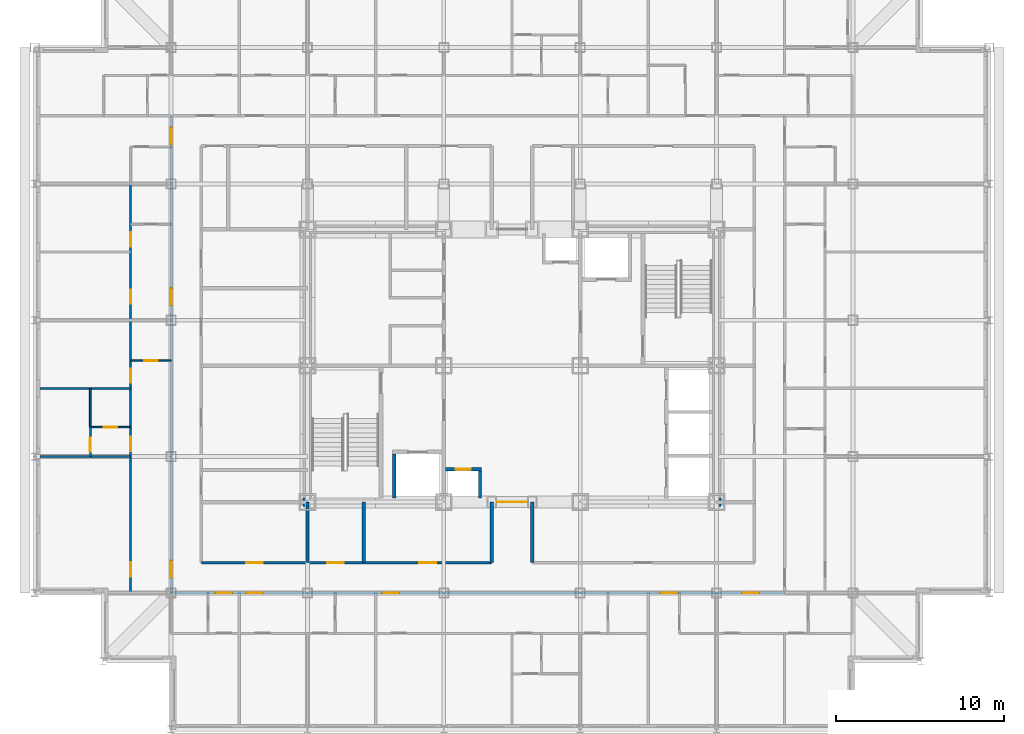
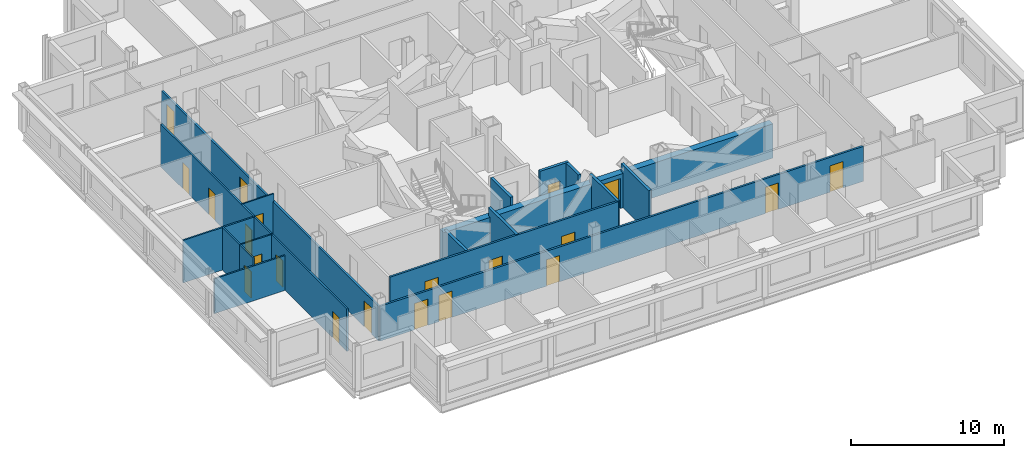
# One storey, part 5 of 12: 21 doors, 18 walls, 21 openings.
"""IFC4 building model written with IfcOpenShell, lengths in metres."""

from ifc_helpers import new_model, si_unit, direction, frame, frame_2d, origin, place, context, subcontext, project, spatial, rectangle, extrude, material, layer, layer_set, type_object, element, fill, save


model = new_model("IFC4")

# Units and contexts
model_context = context("Model", 3, precision=1e-05, world=origin(), true_north=direction((0.0, 1.0)))
body_context = subcontext(model_context, "Body", "Model", "MODEL_VIEW")
ifc_project = project(units=[si_unit("LENGTHUNIT", "METRE"), si_unit("AREAUNIT", "SQUARE_METRE"), si_unit("VOLUMEUNIT", "CUBIC_METRE"), si_unit("PLANEANGLEUNIT", "RADIAN"), si_unit("MASSUNIT", "GRAM", prefix="KILO")], contexts=[model_context])

# Site, building, storey
site_placement = place(None, origin())
site = spatial("IfcSite", under=ifc_project, at=site_placement, CompositionType="ELEMENT")
building_placement = place(site_placement, origin())
building = spatial("IfcBuilding", under=site, at=building_placement, Name="Kopane Lantern Tower", CompositionType="ELEMENT")
storey_placement = place(building_placement, frame((0.0, 0.0, 202.800048828125)))
storey = spatial("IfcBuildingStorey", under=building, at=storey_placement, Name="L52", CompositionType="ELEMENT", Elevation=202.800048828125)

# Wall, openings, doors
ifc_material_1 = material(Name="Gypsum board on steel studs", Category="steel")
ifc_layer_1 = layer(ifc_material_1, 0.1201171875)
ifc_layer_set_1 = layer_set([ifc_layer_1], Name="APARTMENT INTERNAL WALL 120")
wall_type_1 = type_object("IfcWallType", Name="APARTMENT INTERNAL WALL 120", PredefinedType="PARTITIONING", material=ifc_layer_set_1)
wall_1_placement = place(storey_placement, frame((5.699951171875, 18.89990234375, 0.0), z_axis=(0.0, 0.0, 1.0), x_axis=(0.0, 1.0, 0.0)))
wall_1 = element("IfcWall", 1, at=wall_1_placement, inside=storey, type_object=wall_type_1, Name="Apartment Internal Wall 120 L52", PredefinedType="PARTITIONING", context=body_context, shape_type="SweptSolid", body=[
    extrude(rectangle(XDim=24.300048828125, YDim=0.1201171875, at=frame_2d((12.14990234375, 0.0))), origin(), (0.0, 0.0, 1.0), 3.389892578125),
])
opening_1_placement = place(wall_1_placement, frame((0.97509765625, 0.0, 0.0)))
opening_1 = element("IfcOpeningElement", 2, at=opening_1_placement, cuts=wall_1, Name="Opening L52-043", PredefinedType="OPENING", context=body_context, shape_type="SweptSolid", body=[
    extrude(rectangle(XDim=0.85009765625, YDim=2.10009765625, at=frame_2d((0.425048828125, 1.050048828125))), frame((0.0, 0.070068359375, 0.0), z_axis=(0.0, -1.0, 0.0), x_axis=(1.0, 0.0, 0.0)), (0.0, 0.0, 1.0), 0.14013671875),
])
opening_2_placement = place(wall_1_placement, frame((8.425048828125, 0.0, 0.0)))
opening_2 = element("IfcOpeningElement", 3, at=opening_2_placement, cuts=wall_1, Name="Opening L52-045", PredefinedType="OPENING", context=body_context, shape_type="SweptSolid", body=[
    extrude(rectangle(XDim=0.85009765625, YDim=2.10009765625, at=frame_2d((0.425048828125, 1.050048828125))), frame((0.0, 0.070068359375, 0.0), z_axis=(0.0, -1.0, 0.0), x_axis=(1.0, 0.0, 0.0)), (0.0, 0.0, 1.0), 0.14013671875),
])
opening_3_placement = place(wall_1_placement, frame((12.47509765625, 0.0, 0.0)))
opening_3 = element("IfcOpeningElement", 4, at=opening_3_placement, cuts=wall_1, Name="Opening L52-046", PredefinedType="OPENING", context=body_context, shape_type="SweptSolid", body=[
    extrude(rectangle(XDim=0.85009765625, YDim=2.10009765625, at=frame_2d((0.425048828125, 1.050048828125))), frame((0.0, 0.070068359375, 0.0), z_axis=(0.0, -1.0, 0.0), x_axis=(1.0, 0.0, 0.0)), (0.0, 0.0, 1.0), 0.14013671875),
])
opening_4_placement = place(wall_1_placement, frame((17.175048828125, 0.0, 0.0)))
opening_4 = element("IfcOpeningElement", 5, at=opening_4_placement, cuts=wall_1, Name="Opening L52-049", PredefinedType="OPENING", context=body_context, shape_type="SweptSolid", body=[
    extrude(rectangle(XDim=0.85009765625, YDim=2.10009765625, at=frame_2d((0.425048828125, 1.050048828125))), frame((0.0, 0.070068359375, 0.0), z_axis=(0.0, -1.0, 0.0), x_axis=(1.0, 0.0, 0.0)), (0.0, 0.0, 1.0), 0.14013671875),
])
opening_5_placement = place(wall_1_placement, frame((20.574951171875, 0.0, 0.0)))
opening_5 = element("IfcOpeningElement", 6, at=opening_5_placement, cuts=wall_1, Name="Opening L52-050", PredefinedType="OPENING", context=body_context, shape_type="SweptSolid", body=[
    extrude(rectangle(XDim=0.85009765625, YDim=2.10009765625, at=frame_2d((0.425048828125, 1.050048828125))), frame((0.0, 0.070068359375, 0.0), z_axis=(0.0, -1.0, 0.0), x_axis=(1.0, 0.0, 0.0)), (0.0, 0.0, 1.0), 0.14013671875),
])
ifc_material_2 = material(Name="Timber door set", Category="wood")
door_type_1 = type_object("IfcDoorType", Name="DOOR D4 850x2100", OperationType="SINGLE_SWING_LEFT", PredefinedType="DOOR", material=ifc_material_2)
door_1_placement = place(opening_1_placement, origin())
door_1 = element("IfcDoor", 7, at=door_1_placement, inside=storey, type_object=door_type_1, Name="Door L52-043", OperationType="SINGLE_SWING_RIGHT", OverallHeight=2.10009765625, OverallWidth=0.85009765625, PredefinedType="DOOR", context=body_context, shape_type="SweptSolid", body=[
    extrude(rectangle(XDim=0.85009765625, YDim=2.10009765625, at=frame_2d((0.425048828125, 1.050048828125))), frame((0.0, 0.02490234375, 0.0), z_axis=(0.0, -1.0, 0.0), x_axis=(1.0, 0.0, 0.0)), (0.0, 0.0, 1.0), 0.050048828125),
])
fill(opening_1, door_1)
door_2_placement = place(opening_2_placement, origin())
door_2 = element("IfcDoor", 8, at=door_2_placement, inside=storey, type_object=door_type_1, Name="Door L52-045", OperationType="SINGLE_SWING_LEFT", OverallHeight=2.10009765625, OverallWidth=0.85009765625, PredefinedType="DOOR", context=body_context, shape_type="SweptSolid", body=[
    extrude(rectangle(XDim=0.85009765625, YDim=2.10009765625, at=frame_2d((0.425048828125, 1.050048828125))), frame((0.0, 0.02490234375, 0.0), z_axis=(0.0, -1.0, 0.0), x_axis=(1.0, 0.0, 0.0)), (0.0, 0.0, 1.0), 0.050048828125),
])
fill(opening_2, door_2)
door_3_placement = place(opening_3_placement, origin())
door_3 = element("IfcDoor", 9, at=door_3_placement, inside=storey, type_object=door_type_1, Name="Door L52-046", OperationType="SINGLE_SWING_LEFT", OverallHeight=2.10009765625, OverallWidth=0.85009765625, PredefinedType="DOOR", context=body_context, shape_type="SweptSolid", body=[
    extrude(rectangle(XDim=0.85009765625, YDim=2.10009765625, at=frame_2d((0.425048828125, 1.050048828125))), frame((0.0, 0.02490234375, 0.0), z_axis=(0.0, -1.0, 0.0), x_axis=(1.0, 0.0, 0.0)), (0.0, 0.0, 1.0), 0.050048828125),
])
fill(opening_3, door_3)
door_4_placement = place(opening_4_placement, origin())
door_4 = element("IfcDoor", 10, at=door_4_placement, inside=storey, type_object=door_type_1, Name="Door L52-049", OperationType="SINGLE_SWING_RIGHT", OverallHeight=2.10009765625, OverallWidth=0.85009765625, PredefinedType="DOOR", context=body_context, shape_type="SweptSolid", body=[
    extrude(rectangle(XDim=0.85009765625, YDim=2.10009765625, at=frame_2d((0.425048828125, 1.050048828125))), frame((0.0, 0.02490234375, 0.0), z_axis=(0.0, -1.0, 0.0), x_axis=(1.0, 0.0, 0.0)), (0.0, 0.0, 1.0), 0.050048828125),
])
fill(opening_4, door_4)
door_5_placement = place(opening_5_placement, origin())
door_5 = element("IfcDoor", 11, at=door_5_placement, inside=storey, type_object=door_type_1, Name="Door L52-050", OperationType="SINGLE_SWING_LEFT", OverallHeight=2.10009765625, OverallWidth=0.85009765625, PredefinedType="DOOR", context=body_context, shape_type="SweptSolid", body=[
    extrude(rectangle(XDim=0.85009765625, YDim=2.10009765625, at=frame_2d((0.425048828125, 1.050048828125))), frame((0.0, 0.02490234375, 0.0), z_axis=(0.0, -1.0, 0.0), x_axis=(1.0, 0.0, 0.0)), (0.0, 0.0, 1.0), 0.050048828125),
])
fill(opening_5, door_5)

# Walls
wall_2_placement = place(storey_placement, frame((5.699951171875, 27.0, 0.0), z_axis=(0.0, 0.0, 1.0), x_axis=(-1.0, 0.0, 0.0)))
element("IfcWall", 12, at=wall_2_placement, inside=storey, type_object=wall_type_1, Name="Apartment Internal Wall 120 L52", PredefinedType="PARTITIONING", context=body_context, shape_type="SweptSolid", body=[
    extrude(rectangle(XDim=5.39990234375, YDim=0.1201171875, at=frame_2d((2.699951171875, 0.0))), origin(), (0.0, 0.0, 1.0), 2.77783203125),
])
wall_3_placement = place(storey_placement, frame((5.699951171875, 31.050048828125, 0.0), z_axis=(0.0, 0.0, 1.0), x_axis=(-1.0, 0.0, 0.0)))
element("IfcWall", 13, at=wall_3_placement, inside=storey, type_object=wall_type_1, Name="Apartment Internal Wall 120 L52", PredefinedType="PARTITIONING", context=body_context, shape_type="SweptSolid", body=[
    extrude(rectangle(XDim=5.39990234375, YDim=0.1201171875, at=frame_2d((2.699951171875, 0.0))), origin(), (0.0, 0.0, 1.0), 3.389892578125),
])

# Wall, opening, door
wall_4_placement = place(storey_placement, frame((3.300048828125, 27.0, 0.0), z_axis=(0.0, 0.0, 1.0), x_axis=(0.0, 1.0, 0.0)))
wall_4 = element("IfcWall", 14, at=wall_4_placement, inside=storey, type_object=wall_type_1, Name="Apartment Internal Wall 120 L52", PredefinedType="PARTITIONING", context=body_context, shape_type="SweptSolid", body=[
    extrude(rectangle(XDim=1.760009765625, YDim=0.1201171875, at=frame_2d((0.8798828125, 0.0))), origin(), (0.0, 0.0, 1.0), 3.389892578125),
])
opening_6_placement = place(wall_4_placement, frame((0.27490234375, 0.0, 0.0)))
opening_6 = element("IfcOpeningElement", 15, at=opening_6_placement, cuts=wall_4, Name="Opening L52-082", PredefinedType="OPENING", context=body_context, shape_type="SweptSolid", body=[
    extrude(rectangle(XDim=0.85009765625, YDim=2.10009765625, at=frame_2d((0.425048828125, 1.050048828125))), frame((0.0, 0.070068359375, 0.0), z_axis=(0.0, -1.0, 0.0), x_axis=(1.0, 0.0, 0.0)), (0.0, 0.0, 1.0), 0.14013671875),
])
door_6_placement = place(opening_6_placement, origin())
door_6 = element("IfcDoor", 16, at=door_6_placement, inside=storey, type_object=door_type_1, Name="Door L52-082", OperationType="SINGLE_SWING_LEFT", OverallHeight=2.10009765625, OverallWidth=0.85009765625, PredefinedType="DOOR", context=body_context, shape_type="SweptSolid", body=[
    extrude(rectangle(XDim=0.85009765625, YDim=2.10009765625, at=frame_2d((0.425048828125, 1.050048828125))), frame((0.0, 0.02490234375, 0.0), z_axis=(0.0, -1.0, 0.0), x_axis=(1.0, 0.0, 0.0)), (0.0, 0.0, 1.0), 0.050048828125),
])
fill(opening_6, door_6)

ifc_material_3 = material(Name="Moisture-resistant board on steel studs", Category="steel")
ifc_layer_2 = layer(ifc_material_3, 0.10009765625)
ifc_layer_set_2 = layer_set([ifc_layer_2], Name="BATHROOM WALL 100")
wall_type_2 = type_object("IfcWallType", Name="BATHROOM WALL 100", PredefinedType="PARTITIONING", material=ifc_layer_set_2)
wall_5_placement = place(storey_placement, frame((8.10009765625, 32.699951171875, 0.0), z_axis=(0.0, 0.0, 1.0), x_axis=(-1.0, 0.0, 0.0)))
wall_5 = element("IfcWall", 17, at=wall_5_placement, inside=storey, type_object=wall_type_2, Name="Bathroom Wall 100 L52", PredefinedType="PARTITIONING", context=body_context, shape_type="SweptSolid", body=[
    extrude(rectangle(XDim=2.400146484375, YDim=0.10009765625, at=frame_2d((1.2001953125, 0.0))), origin(), (0.0, 0.0, 1.0), 3.389892578125),
])
opening_7_placement = place(wall_5_placement, frame((0.800048828125, 0.0, 0.0)))
opening_7 = element("IfcOpeningElement", 18, at=opening_7_placement, cuts=wall_5, Name="Opening L52-041", PredefinedType="OPENING", context=body_context, shape_type="SweptSolid", body=[
    extrude(rectangle(XDim=0.800048828125, YDim=2.10009765625, at=frame_2d((0.39990234375, 1.050048828125))), frame((0.0, 0.06005859375, 0.0), z_axis=(0.0, -1.0, 0.0), x_axis=(1.0, 0.0, 0.0)), (0.0, 0.0, 1.0), 0.1201171875),
])
ifc_material_4 = material(Name="Timber door set", Category="wood")
door_type_2 = type_object("IfcDoorType", Name="DOOR D2 800x2100", OperationType="SINGLE_SWING_LEFT", PredefinedType="DOOR", material=ifc_material_4)
door_7_placement = place(opening_7_placement, origin())
door_7 = element("IfcDoor", 19, at=door_7_placement, inside=storey, type_object=door_type_2, Name="Door L52-041", OperationType="SINGLE_SWING_RIGHT", OverallHeight=2.10009765625, OverallWidth=0.800048828125, PredefinedType="DOOR", context=body_context, shape_type="SweptSolid", body=[
    extrude(rectangle(XDim=0.800048828125, YDim=2.10009765625, at=frame_2d((0.39990234375, 1.050048828125))), frame((0.0, 0.02490234375, 0.0), z_axis=(0.0, -1.0, 0.0), x_axis=(1.0, 0.0, 0.0)), (0.0, 0.0, 1.0), 0.050048828125),
])
fill(opening_7, door_7)

wall_6_placement = place(storey_placement, frame((5.699951171875, 28.75, 0.0), z_axis=(0.0, 0.0, 1.0), x_axis=(-1.0, 0.0, 0.0)))
wall_6 = element("IfcWall", 20, at=wall_6_placement, inside=storey, type_object=wall_type_2, Name="Bathroom Wall 100 L52", PredefinedType="PARTITIONING", context=body_context, shape_type="SweptSolid", body=[
    extrude(rectangle(XDim=2.39990234375, YDim=0.10009765625, at=frame_2d((1.199951171875, 0.0))), origin(), (0.0, 0.0, 1.0), 3.389892578125),
])
opening_8_placement = place(wall_6_placement, frame((0.800048828125, 0.0, 0.0)))
opening_8 = element("IfcOpeningElement", 21, at=opening_8_placement, cuts=wall_6, Name="Opening L52-044", PredefinedType="OPENING", context=body_context, shape_type="SweptSolid", body=[
    extrude(rectangle(XDim=0.800048828125, YDim=2.10009765625, at=frame_2d((0.39990234375, 1.050048828125))), frame((0.0, 0.06005859375, 0.0), z_axis=(0.0, -1.0, 0.0), x_axis=(1.0, 0.0, 0.0)), (0.0, 0.0, 1.0), 0.1201171875),
])
door_8_placement = place(opening_8_placement, origin())
door_8 = element("IfcDoor", 22, at=door_8_placement, inside=storey, type_object=door_type_2, Name="Door L52-044", OperationType="SINGLE_SWING_RIGHT", OverallHeight=2.10009765625, OverallWidth=0.800048828125, PredefinedType="DOOR", context=body_context, shape_type="SweptSolid", body=[
    extrude(rectangle(XDim=0.800048828125, YDim=2.10009765625, at=frame_2d((0.39990234375, 1.050048828125))), frame((0.0, 0.02490234375, 0.0), z_axis=(0.0, -1.0, 0.0), x_axis=(1.0, 0.0, 0.0)), (0.0, 0.0, 1.0), 0.050048828125),
])
fill(opening_8, door_8)

# Wall
wall_7_placement = place(storey_placement, frame((3.300048828125, 28.75, 0.0), z_axis=(0.0, 0.0, 1.0), x_axis=(0.0, 1.0, 0.0)))
element("IfcWall", 23, at=wall_7_placement, inside=storey, type_object=wall_type_2, Name="Bathroom Wall 100 L52", PredefinedType="PARTITIONING", context=body_context, shape_type="SweptSolid", body=[
    extrude(rectangle(XDim=2.300048828125, YDim=0.10009765625, at=frame_2d((1.14990234375, 0.0))), origin(), (0.0, 0.0, 1.0), 3.389892578125),
])

# Wall, opening, door
ifc_material_5 = material(Name="Gypsum shaft wall EI 120", Category="gypsum")
ifc_layer_3 = layer(ifc_material_5, 0.5)
ifc_layer_set_3 = layer_set([ifc_layer_3], Name="CORE PERIMETER WALL 500 EI 120")
wall_type_3 = type_object("IfcWallType", Name="CORE PERIMETER WALL 500 EI 120", PredefinedType="SOLIDWALL", material=ifc_layer_set_3)
wall_8_placement = place(storey_placement, frame((15.949951171875, 24.300048828125, 0.0), z_axis=(0.0, 0.0, 1.0), x_axis=(1.0, 0.0, 0.0)))
wall_8 = element("IfcWall", 24, at=wall_8_placement, inside=storey, type_object=wall_type_3, Name="Core shaft wall L52 PS", PredefinedType="SOLIDWALL", context=body_context, shape_type="SweptSolid", body=[
    extrude(rectangle(XDim=24.800048828125, YDim=0.5, at=frame_2d((12.39990234375, 0.0))), origin(), (0.0, 0.0, 1.0), 2.739990234375),
])
opening_9_placement = place(wall_8_placement, frame((11.5, 0.0, 0.0)))
opening_9 = element("IfcOpeningElement", 25, at=opening_9_placement, cuts=wall_8, Name="Opening 52.CE-S", PredefinedType="OPENING", context=body_context, shape_type="SweptSolid", body=[
    extrude(rectangle(XDim=1.800048828125, YDim=2.39990234375, at=frame_2d((0.89990234375, 1.199951171875))), frame((0.0, 0.260009765625, 0.0), z_axis=(0.0, -1.0, 0.0), x_axis=(1.0, 0.0, 0.0)), (0.0, 0.0, 1.0), 0.52001953125),
])
ifc_material_6 = material(Name="Steel door set", Category="steel")
door_type_3 = type_object("IfcDoorType", Name="CORE ENTRY DOOR 1800x2400 FD60S", OperationType="DOUBLE_DOOR_SINGLE_SWING", PredefinedType="DOOR", material=ifc_material_6)
door_9_placement = place(opening_9_placement, origin())
door_9 = element("IfcDoor", 26, at=door_9_placement, inside=storey, type_object=door_type_3, Name="Core entry door L52 south", OperationType="DOUBLE_DOOR_SINGLE_SWING", OverallHeight=2.39990234375, OverallWidth=1.800048828125, PredefinedType="DOOR", context=body_context, shape_type="SweptSolid", body=[
    extrude(rectangle(XDim=1.800048828125, YDim=2.39990234375, at=frame_2d((0.89990234375, 1.199951171875))), frame((0.0, 0.02490234375, 0.0), z_axis=(0.0, -1.0, 0.0), x_axis=(1.0, 0.0, 0.0)), (0.0, 0.0, 1.0), 0.050048828125),
])
fill(opening_9, door_9)

# Wall, openings, doors
ifc_material_7 = material(Name="Gypsum board on steel studs", Category="steel")
ifc_layer_4 = layer(ifc_material_7, 0.14990234375)
ifc_layer_set_4 = layer_set([ifc_layer_4], Name="CORRIDOR WALL 150 EI 60")
wall_type_4 = type_object("IfcWallType", Name="CORRIDOR WALL 150 EI 60", PredefinedType="PARTITIONING", material=ifc_layer_set_4)
wall_9_placement = place(storey_placement, frame((8.10009765625, 18.89990234375, 0.0), z_axis=(0.0, 0.0, 1.0), x_axis=(1.0, 0.0, 0.0)))
wall_9 = element("IfcWall", 27, at=wall_9_placement, inside=storey, type_object=wall_type_4, Name="Corridor Wall 150 Ei 60 L52", PredefinedType="PARTITIONING", context=body_context, shape_type="SweptSolid", body=[
    extrude(rectangle(XDim=36.449951171875, YDim=0.14990234375, at=frame_2d((18.22509765625, 0.0))), origin(), (0.0, 0.0, 1.0), 2.77783203125),
])
opening_10_placement = place(wall_9_placement, frame((4.449951171875, 0.0, 0.0)))
opening_10 = element("IfcOpeningElement", 28, at=opening_10_placement, cuts=wall_9, Name="Opening L52-018", PredefinedType="OPENING", context=body_context, shape_type="SweptSolid", body=[
    extrude(rectangle(XDim=1.0, YDim=2.10009765625, at=frame_2d((0.5, 1.050048828125))), frame((0.0, 0.0849609375, 0.0), z_axis=(0.0, -1.0, 0.0), x_axis=(1.0, 0.0, 0.0)), (0.0, 0.0, 1.0), 0.169921875),
])
opening_11_placement = place(wall_9_placement, frame((12.550048828125, 0.0, 0.0)))
opening_11 = element("IfcOpeningElement", 29, at=opening_11_placement, cuts=wall_9, Name="Opening L52-022", PredefinedType="OPENING", context=body_context, shape_type="SweptSolid", body=[
    extrude(rectangle(XDim=1.0, YDim=2.10009765625, at=frame_2d((0.5, 1.050048828125))), frame((0.0, 0.0849609375, 0.0), z_axis=(0.0, -1.0, 0.0), x_axis=(1.0, 0.0, 0.0)), (0.0, 0.0, 1.0), 0.169921875),
])
opening_12_placement = place(wall_9_placement, frame((29.050048828125, 0.0, 0.0)))
opening_12 = element("IfcOpeningElement", 30, at=opening_12_placement, cuts=wall_9, Name="Opening L52-028", PredefinedType="OPENING", context=body_context, shape_type="SweptSolid", body=[
    extrude(rectangle(XDim=1.0, YDim=2.10009765625, at=frame_2d((0.5, 1.050048828125))), frame((0.0, 0.0849609375, 0.0), z_axis=(0.0, -1.0, 0.0), x_axis=(1.0, 0.0, 0.0)), (0.0, 0.0, 1.0), 0.169921875),
])
opening_13_placement = place(wall_9_placement, frame((2.625, 0.0, 0.0)))
opening_13 = element("IfcOpeningElement", 31, at=opening_13_placement, cuts=wall_9, Name="Opening L52-064", PredefinedType="OPENING", context=body_context, shape_type="SweptSolid", body=[
    extrude(rectangle(XDim=1.0, YDim=2.10009765625, at=frame_2d((0.5, 1.050048828125))), frame((0.0, 0.0849609375, 0.0), z_axis=(0.0, -1.0, 0.0), x_axis=(1.0, 0.0, 0.0)), (0.0, 0.0, 1.0), 0.169921875),
])
opening_14_placement = place(wall_9_placement, frame((33.925048828125, 0.0, 0.0)))
opening_14 = element("IfcOpeningElement", 32, at=opening_14_placement, cuts=wall_9, Name="Opening L52-066", PredefinedType="OPENING", context=body_context, shape_type="SweptSolid", body=[
    extrude(rectangle(XDim=1.0, YDim=2.10009765625, at=frame_2d((0.5, 1.050048828125))), frame((0.0, 0.0849609375, 0.0), z_axis=(0.0, -1.0, 0.0), x_axis=(1.0, 0.0, 0.0)), (0.0, 0.0, 1.0), 0.169921875),
])
ifc_material_8 = material(Name="Steel door set", Category="steel")
door_type_4 = type_object("IfcDoorType", Name="DOOR D3 1000x2100 FD30S", OperationType="SINGLE_SWING_LEFT", PredefinedType="DOOR", material=ifc_material_8)
door_10_placement = place(opening_10_placement, origin())
door_10 = element("IfcDoor", 33, at=door_10_placement, inside=storey, type_object=door_type_4, Name="Door L52-018", OperationType="SINGLE_SWING_RIGHT", OverallHeight=2.10009765625, OverallWidth=1.0, PredefinedType="DOOR", context=body_context, shape_type="SweptSolid", body=[
    extrude(rectangle(XDim=1.0, YDim=2.10009765625, at=frame_2d((0.5, 1.050048828125))), frame((0.0, 0.02490234375, 0.0), z_axis=(0.0, -1.0, 0.0), x_axis=(1.0, 0.0, 0.0)), (0.0, 0.0, 1.0), 0.050048828125),
])
fill(opening_10, door_10)
door_11_placement = place(opening_11_placement, origin())
door_11 = element("IfcDoor", 34, at=door_11_placement, inside=storey, type_object=door_type_4, Name="Door L52-022", OperationType="SINGLE_SWING_RIGHT", OverallHeight=2.10009765625, OverallWidth=1.0, PredefinedType="DOOR", context=body_context, shape_type="SweptSolid", body=[
    extrude(rectangle(XDim=1.0, YDim=2.10009765625, at=frame_2d((0.5, 1.050048828125))), frame((0.0, 0.02490234375, 0.0), z_axis=(0.0, -1.0, 0.0), x_axis=(1.0, 0.0, 0.0)), (0.0, 0.0, 1.0), 0.050048828125),
])
fill(opening_11, door_11)
door_12_placement = place(opening_12_placement, origin())
door_12 = element("IfcDoor", 35, at=door_12_placement, inside=storey, type_object=door_type_4, Name="Door L52-028", OperationType="SINGLE_SWING_LEFT", OverallHeight=2.10009765625, OverallWidth=1.0, PredefinedType="DOOR", context=body_context, shape_type="SweptSolid", body=[
    extrude(rectangle(XDim=1.0, YDim=2.10009765625, at=frame_2d((0.5, 1.050048828125))), frame((0.0, 0.02490234375, 0.0), z_axis=(0.0, -1.0, 0.0), x_axis=(1.0, 0.0, 0.0)), (0.0, 0.0, 1.0), 0.050048828125),
])
fill(opening_12, door_12)
door_13_placement = place(opening_13_placement, origin())
door_13 = element("IfcDoor", 36, at=door_13_placement, inside=storey, type_object=door_type_4, Name="Door L52-064", OperationType="SINGLE_SWING_RIGHT", OverallHeight=2.10009765625, OverallWidth=1.0, PredefinedType="DOOR", context=body_context, shape_type="SweptSolid", body=[
    extrude(rectangle(XDim=1.0, YDim=2.10009765625, at=frame_2d((0.5, 1.050048828125))), frame((0.0, 0.02490234375, 0.0), z_axis=(0.0, -1.0, 0.0), x_axis=(1.0, 0.0, 0.0)), (0.0, 0.0, 1.0), 0.050048828125),
])
fill(opening_13, door_13)
door_14_placement = place(opening_14_placement, origin())
door_14 = element("IfcDoor", 37, at=door_14_placement, inside=storey, type_object=door_type_4, Name="Door L52-066", OperationType="SINGLE_SWING_RIGHT", OverallHeight=2.10009765625, OverallWidth=1.0, PredefinedType="DOOR", context=body_context, shape_type="SweptSolid", body=[
    extrude(rectangle(XDim=1.0, YDim=2.10009765625, at=frame_2d((0.5, 1.050048828125))), frame((0.0, 0.02490234375, 0.0), z_axis=(0.0, -1.0, 0.0), x_axis=(1.0, 0.0, 0.0)), (0.0, 0.0, 1.0), 0.050048828125),
])
fill(opening_14, door_14)

wall_10_placement = place(storey_placement, frame((8.10009765625, 18.89990234375, 0.0), z_axis=(0.0, 0.0, 1.0), x_axis=(0.0, 1.0, 0.0)))
wall_10 = element("IfcWall", 38, at=wall_10_placement, inside=storey, type_object=wall_type_4, Name="Corridor Wall 150 Ei 60 L52", PredefinedType="PARTITIONING", context=body_context, shape_type="SweptSolid", body=[
    extrude(rectangle(XDim=28.35009765625, YDim=0.14990234375, at=frame_2d((14.175048828125, 0.0))), origin(), (0.0, 0.0, 1.0), 2.77783203125),
])
opening_15_placement = place(wall_10_placement, frame((0.89990234375, 0.0, 0.0)))
opening_15 = element("IfcOpeningElement", 39, at=opening_15_placement, cuts=wall_10, Name="Opening L52-042", PredefinedType="OPENING", context=body_context, shape_type="SweptSolid", body=[
    extrude(rectangle(XDim=1.0, YDim=2.10009765625, at=frame_2d((0.5, 1.050048828125))), frame((0.0, 0.0849609375, 0.0), z_axis=(0.0, -1.0, 0.0), x_axis=(1.0, 0.0, 0.0)), (0.0, 0.0, 1.0), 0.169921875),
])
opening_16_placement = place(wall_10_placement, frame((17.10009765625, 0.0, 0.0)))
opening_16 = element("IfcOpeningElement", 40, at=opening_16_placement, cuts=wall_10, Name="Opening L52-048", PredefinedType="OPENING", context=body_context, shape_type="SweptSolid", body=[
    extrude(rectangle(XDim=1.0, YDim=2.10009765625, at=frame_2d((0.5, 1.050048828125))), frame((0.0, 0.0849609375, 0.0), z_axis=(0.0, -1.0, 0.0), x_axis=(1.0, 0.0, 0.0)), (0.0, 0.0, 1.0), 0.169921875),
])
opening_17_placement = place(wall_10_placement, frame((26.64990234375, 0.0, 0.0)))
opening_17 = element("IfcOpeningElement", 41, at=opening_17_placement, cuts=wall_10, Name="Opening L52-052", PredefinedType="OPENING", context=body_context, shape_type="SweptSolid", body=[
    extrude(rectangle(XDim=1.0, YDim=2.10009765625, at=frame_2d((0.5, 1.050048828125))), frame((0.0, 0.0849609375, 0.0), z_axis=(0.0, -1.0, 0.0), x_axis=(1.0, 0.0, 0.0)), (0.0, 0.0, 1.0), 0.169921875),
])
door_15_placement = place(opening_15_placement, origin())
door_15 = element("IfcDoor", 42, at=door_15_placement, inside=storey, type_object=door_type_4, Name="Door L52-042", OperationType="SINGLE_SWING_LEFT", OverallHeight=2.10009765625, OverallWidth=1.0, PredefinedType="DOOR", context=body_context, shape_type="SweptSolid", body=[
    extrude(rectangle(XDim=1.0, YDim=2.10009765625, at=frame_2d((0.5, 1.050048828125))), frame((0.0, 0.02490234375, 0.0), z_axis=(0.0, -1.0, 0.0), x_axis=(1.0, 0.0, 0.0)), (0.0, 0.0, 1.0), 0.050048828125),
])
fill(opening_15, door_15)
door_16_placement = place(opening_16_placement, origin())
door_16 = element("IfcDoor", 43, at=door_16_placement, inside=storey, type_object=door_type_4, Name="Door L52-048", OperationType="SINGLE_SWING_LEFT", OverallHeight=2.10009765625, OverallWidth=1.0, PredefinedType="DOOR", context=body_context, shape_type="SweptSolid", body=[
    extrude(rectangle(XDim=1.0, YDim=2.10009765625, at=frame_2d((0.5, 1.050048828125))), frame((0.0, 0.02490234375, 0.0), z_axis=(0.0, -1.0, 0.0), x_axis=(1.0, 0.0, 0.0)), (0.0, 0.0, 1.0), 0.050048828125),
])
fill(opening_16, door_16)
door_17_placement = place(opening_17_placement, origin())
door_17 = element("IfcDoor", 44, at=door_17_placement, inside=storey, type_object=door_type_4, Name="Door L52-052", OperationType="SINGLE_SWING_LEFT", OverallHeight=2.10009765625, OverallWidth=1.0, PredefinedType="DOOR", context=body_context, shape_type="SweptSolid", body=[
    extrude(rectangle(XDim=1.0, YDim=2.10009765625, at=frame_2d((0.5, 1.050048828125))), frame((0.0, 0.02490234375, 0.0), z_axis=(0.0, -1.0, 0.0), x_axis=(1.0, 0.0, 0.0)), (0.0, 0.0, 1.0), 0.050048828125),
])
fill(opening_17, door_17)

wall_11_placement = place(storey_placement, frame((9.89990234375, 20.699951171875, 0.0), z_axis=(0.0, 0.0, 1.0), x_axis=(1.0, 0.0, 0.0)))
wall_11 = element("IfcWall", 45, at=wall_11_placement, inside=storey, type_object=wall_type_4, Name="Corridor Wall 150 Ei 60 L52", PredefinedType="PARTITIONING", context=body_context, shape_type="SweptSolid", body=[
    extrude(rectangle(XDim=17.239990234375, YDim=0.14990234375, at=frame_2d((8.6201171875, 0.0))), origin(), (0.0, 0.0, 1.0), 3.389892578125),
])
opening_18_placement = place(wall_11_placement, frame((2.64990234375, 0.0, 0.0)))
opening_18 = element("IfcOpeningElement", 46, at=opening_18_placement, cuts=wall_11, Name="Opening L52-007", PredefinedType="OPENING", context=body_context, shape_type="SweptSolid", body=[
    extrude(rectangle(XDim=1.0, YDim=2.10009765625, at=frame_2d((0.5, 1.050048828125))), frame((0.0, 0.0849609375, 0.0), z_axis=(0.0, -1.0, 0.0), x_axis=(1.0, 0.0, 0.0)), (0.0, 0.0, 1.0), 0.169921875),
])
opening_19_placement = place(wall_11_placement, frame((7.466796875, 0.0, 0.0)))
opening_19 = element("IfcOpeningElement", 47, at=opening_19_placement, cuts=wall_11, Name="Opening L52-008", PredefinedType="OPENING", context=body_context, shape_type="SweptSolid", body=[
    extrude(rectangle(XDim=1.0, YDim=2.10009765625, at=frame_2d((0.5, 1.050048828125))), frame((0.0, 0.0849609375, 0.0), z_axis=(0.0, -1.0, 0.0), x_axis=(1.0, 0.0, 0.0)), (0.0, 0.0, 1.0), 0.169921875),
])
opening_20_placement = place(wall_11_placement, frame((12.941650390625, 0.0, 0.0)))
opening_20 = element("IfcOpeningElement", 48, at=opening_20_placement, cuts=wall_11, Name="Opening L52-009", PredefinedType="OPENING", context=body_context, shape_type="SweptSolid", body=[
    extrude(rectangle(XDim=1.0, YDim=2.10009765625, at=frame_2d((0.5, 1.050048828125))), frame((0.0, 0.0849609375, 0.0), z_axis=(0.0, -1.0, 0.0), x_axis=(1.0, 0.0, 0.0)), (0.0, 0.0, 1.0), 0.169921875),
])
ifc_material_9 = material(Name="Steel door set", Category="steel")
door_type_5 = type_object("IfcDoorType", Name="DOOR D5 1000x2100 FD60", OperationType="SINGLE_SWING_LEFT", PredefinedType="DOOR", material=ifc_material_9)
door_18_placement = place(opening_18_placement, origin())
door_18 = element("IfcDoor", 49, at=door_18_placement, inside=storey, type_object=door_type_5, Name="Door L52-007", OperationType="SINGLE_SWING_LEFT", OverallHeight=2.10009765625, OverallWidth=1.0, PredefinedType="DOOR", context=body_context, shape_type="SweptSolid", body=[
    extrude(rectangle(XDim=1.0, YDim=2.10009765625, at=frame_2d((0.5, 1.050048828125))), frame((0.0, 0.02490234375, 0.0), z_axis=(0.0, -1.0, 0.0), x_axis=(1.0, 0.0, 0.0)), (0.0, 0.0, 1.0), 0.050048828125),
])
fill(opening_18, door_18)
door_19_placement = place(opening_19_placement, origin())
door_19 = element("IfcDoor", 50, at=door_19_placement, inside=storey, type_object=door_type_5, Name="Door L52-008", OperationType="SINGLE_SWING_RIGHT", OverallHeight=2.10009765625, OverallWidth=1.0, PredefinedType="DOOR", context=body_context, shape_type="SweptSolid", body=[
    extrude(rectangle(XDim=1.0, YDim=2.10009765625, at=frame_2d((0.5, 1.050048828125))), frame((0.0, 0.02490234375, 0.0), z_axis=(0.0, -1.0, 0.0), x_axis=(1.0, 0.0, 0.0)), (0.0, 0.0, 1.0), 0.050048828125),
])
fill(opening_19, door_19)
door_20_placement = place(opening_20_placement, origin())
door_20 = element("IfcDoor", 51, at=door_20_placement, inside=storey, type_object=door_type_5, Name="Door L52-009", OperationType="SINGLE_SWING_LEFT", OverallHeight=2.10009765625, OverallWidth=1.0, PredefinedType="DOOR", context=body_context, shape_type="SweptSolid", body=[
    extrude(rectangle(XDim=1.0, YDim=2.10009765625, at=frame_2d((0.5, 1.050048828125))), frame((0.0, 0.02490234375, 0.0), z_axis=(0.0, -1.0, 0.0), x_axis=(1.0, 0.0, 0.0)), (0.0, 0.0, 1.0), 0.050048828125),
])
fill(opening_20, door_20)

# Walls
ifc_material_10 = material(Name="Concrete masonry", Category="masonry")
ifc_layer_5 = layer(ifc_material_10, 0.199951171875)
ifc_layer_set_5 = layer_set([ifc_layer_5], Name="PLANT ROOM WALL 200 EI 120")
wall_type_5 = type_object("IfcWallType", Name="PLANT ROOM WALL 200 EI 120", PredefinedType="SOLIDWALL", material=ifc_layer_set_5)
wall_12_placement = place(storey_placement, frame((16.199951171875, 20.699951171875, 0.0), z_axis=(0.0, 0.0, 1.0), x_axis=(0.0, 1.0, 0.0)))
element("IfcWall", 52, at=wall_12_placement, inside=storey, type_object=wall_type_5, Name="Plant Room Wall 200 Ei 120 L52", PredefinedType="SOLIDWALL", context=body_context, shape_type="SweptSolid", body=[
    extrude(rectangle(XDim=3.60009765625, YDim=0.199951171875, at=frame_2d((1.800048828125, 0.0))), origin(), (0.0, 0.0, 1.0), 2.77783203125),
])
for number, where, z_axis, x_axis, name in (
    (53, (19.533203125, 20.699951171875, 0.0), (0.0, 0.0, 1.0), (0.0, 1.0, 0.0), "Plant Room Wall 200 Ei 120 L52"),
    (54, (27.14990234375, 20.699951171875, 0.0), (0.0, 0.0, 1.0), (0.0, 1.0, 0.0), "Plant Room Wall 200 Ei 120 L52"),
    (55, (29.550048828125, 20.699951171875, 0.0), (0.0, 0.0, 1.0), (0.0, 1.0, 0.0), "Plant Room Wall 200 Ei 120 L52"),
):
    element("IfcWall", number, at=place(storey_placement, frame(where, z_axis=z_axis, x_axis=x_axis)), inside=storey, type_object=wall_type_5, Name=name, PredefinedType="SOLIDWALL", context=body_context, shape_type="SweptSolid", body=[
        extrude(rectangle(XDim=3.60009765625, YDim=0.199951171875, at=frame_2d((1.800048828125, 0.0))), origin(), (0.0, 0.0, 1.0), 3.389892578125),
    ])
ifc_material_11 = material(Name="Gypsum shaft wall EI 120", Category="gypsum")
ifc_layer_6 = layer(ifc_material_11, 0.199951171875)
ifc_layer_set_6 = layer_set([ifc_layer_6], Name="SHAFT WALL 200 EI 120")
wall_type_6 = type_object("IfcWallType", Name="SHAFT WALL 200 EI 120", PredefinedType="SOLIDWALL", material=ifc_layer_set_6)
wall_13_placement = place(storey_placement, frame((21.35009765625, 24.550048828125, 0.0), z_axis=(0.0, 0.0, 1.0), x_axis=(0.0, 1.0, 0.0)))
element("IfcWall", 56, at=wall_13_placement, inside=storey, type_object=wall_type_6, Name="Core shaft wall L52 XLF1", PredefinedType="SOLIDWALL", context=body_context, shape_type="SweptSolid", body=[
    extrude(rectangle(XDim=2.599853515625, YDim=0.199951171875, at=frame_2d((1.2998046875, 0.0))), origin(), (0.0, 0.0, 1.0), 3.389892578125),
])
wall_14_placement = place(storey_placement, frame((26.449951171875, 24.550048828125, 0.0), z_axis=(0.0, 0.0, 1.0), x_axis=(0.0, 1.0, 0.0)))
element("IfcWall", 57, at=wall_14_placement, inside=storey, type_object=wall_type_6, Name="Core shaft wall L52 XRS1", PredefinedType="SOLIDWALL", context=body_context, shape_type="SweptSolid", body=[
    extrude(rectangle(XDim=1.599853515625, YDim=0.199951171875, at=frame_2d((0.7998046875, 0.0))), origin(), (0.0, 0.0, 1.0), 3.389892578125),
])

# Wall, opening, door
wall_15_placement = place(storey_placement, frame((24.39990234375, 26.25, 0.0), z_axis=(0.0, 0.0, 1.0), x_axis=(1.0, 0.0, 0.0)))
wall_15 = element("IfcWall", 58, at=wall_15_placement, inside=storey, type_object=wall_type_6, Name="Core shaft wall L52 YRS1", PredefinedType="SOLIDWALL", context=body_context, shape_type="SweptSolid", body=[
    extrude(rectangle(XDim=2.150146484375, YDim=0.199951171875, at=frame_2d((1.0751953125, 0.0))), origin(), (0.0, 0.0, 1.0), 3.389892578125),
])
opening_21_placement = place(wall_15_placement, frame((0.60009765625, 0.0, 0.0)))
opening_21 = element("IfcOpeningElement", 59, at=opening_21_placement, cuts=wall_15, Name="Opening 52.RS1", PredefinedType="OPENING", context=body_context, shape_type="SweptSolid", body=[
    extrude(rectangle(XDim=0.89990234375, YDim=2.10009765625, at=frame_2d((0.449951171875, 1.050048828125))), frame((0.0, 0.10986328125, 0.0), z_axis=(0.0, -1.0, 0.0), x_axis=(1.0, 0.0, 0.0)), (0.0, 0.0, 1.0), 0.219970703125),
])
ifc_material_12 = material(Name="Steel door set", Category="steel")
door_type_6 = type_object("IfcDoorType", Name="RISER ACCESS DOOR 900x2100 FD60", OperationType="SINGLE_SWING_LEFT", PredefinedType="DOOR", material=ifc_material_12)
door_21_placement = place(opening_21_placement, origin())
door_21 = element("IfcDoor", 60, at=door_21_placement, inside=storey, type_object=door_type_6, Name="Riser access door RS1 L52", OperationType="SINGLE_SWING_LEFT", OverallHeight=2.10009765625, OverallWidth=0.89990234375, PredefinedType="DOOR", context=body_context, shape_type="SweptSolid", body=[
    extrude(rectangle(XDim=0.89990234375, YDim=2.10009765625, at=frame_2d((0.449951171875, 1.050048828125))), frame((0.0, 0.02490234375, 0.0), z_axis=(0.0, -1.0, 0.0), x_axis=(1.0, 0.0, 0.0)), (0.0, 0.0, 1.0), 0.050048828125),
])
fill(opening_21, door_21)

save(model, "model.ifc")
